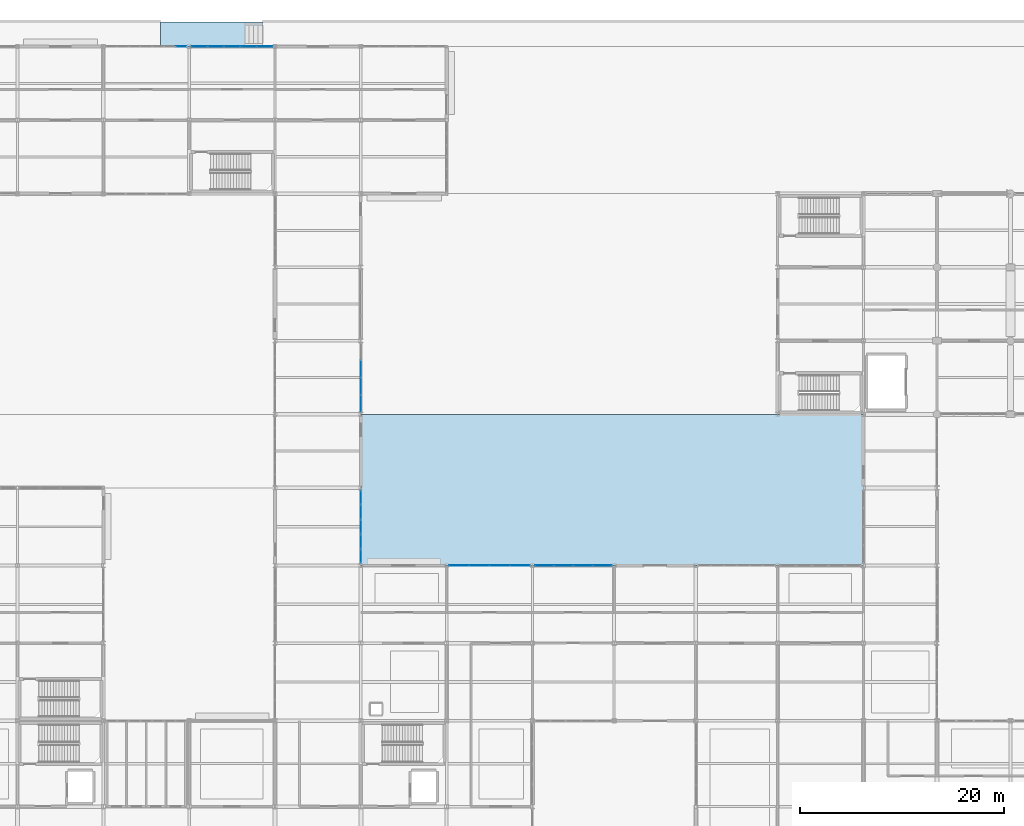
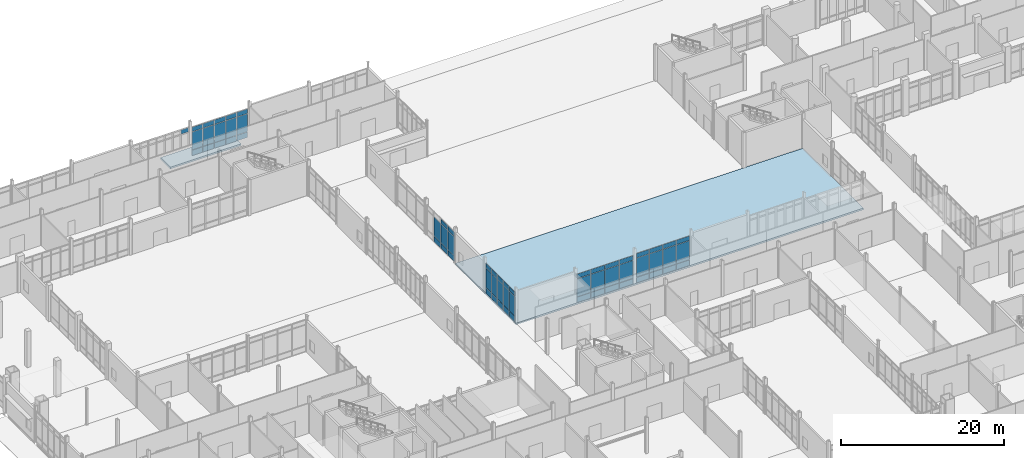
# One storey, part 150 of 229: 63 plates, 2 slabs, 6 elements without a shape of their own.
"""IFC4 building model written with IfcOpenShell, lengths in metres."""

from ifc_helpers import new_model, si_unit, direction, frame, origin, origin_2d, place, context, subcontext, project, spatial, polyline, rectangle, outline, extrude, material, layer, layer_set, type_object, element, aggregate, save


model = new_model("IFC4")

# Units and contexts
model_context = context("Model", 3, precision=1e-05, world=origin(), true_north=direction((0.0, 1.0)))
body_context = subcontext(model_context, "Body", "Model", "MODEL_VIEW")
ifc_project = project(units=[si_unit("LENGTHUNIT", "METRE"), si_unit("AREAUNIT", "SQUARE_METRE"), si_unit("VOLUMEUNIT", "CUBIC_METRE"), si_unit("PLANEANGLEUNIT", "RADIAN"), si_unit("MASSUNIT", "GRAM", prefix="KILO")], contexts=[model_context])

# Site, building, storey
site_placement = place(None, origin())
site = spatial("IfcSite", under=ifc_project, at=site_placement, CompositionType="ELEMENT")
building_placement = place(site_placement, origin())
building = spatial("IfcBuilding", under=site, at=building_placement, Name="Calvrana Isthmian Art Gallery", CompositionType="ELEMENT")
storey_placement = place(building_placement, origin())
storey = spatial("IfcBuildingStorey", under=building, at=storey_placement, Name="L00", CompositionType="ELEMENT", Elevation=0.0)

# Curtain wall, plates
ifc_material_1 = material(Name="Anodized bronze aluminium 6063-T6", Category="aluminium")
ifc_layer_1 = layer(ifc_material_1, 0.179931640625, Name="Anodized bronze aluminium 6063-T6")
ifc_layer_set_1 = layer_set([ifc_layer_1], Name="Anodized bronze aluminium 6063-T6")
curtain_wall_type_1 = type_object("IfcCurtainWallType", Name="CW-UNIT-080X44", PredefinedType="USERDEFINED", material=ifc_layer_set_1)
curtain_wall_1_placement = place(storey_placement, origin())
curtain_wall_1 = element("IfcCurtainWall", 1, at=curtain_wall_1_placement, inside=storey, type_object=curtain_wall_type_1, Name="Curtain wall CW-045", ObjectType="UNITISED CURTAIN WALL", PredefinedType="USERDEFINED")
ifc_material_2 = material(Name="Polychrome glazed terracotta", Category="masonry")
ifc_layer_2 = layer(ifc_material_2, 0.033935546875, Name="Polychrome glazed terracotta")
ifc_layer_set_2 = layer_set([ifc_layer_2], Name="Polychrome glazed terracotta")
plate_type_1 = type_object("IfcPlateType", Name="CWP-SPANDREL-34", PredefinedType="CURTAIN_PANEL", material=ifc_layer_set_2)
plate_1_placement = place(storey_placement, frame((47.806884765625, 112.800048828125, 0.06005859375), z_axis=(0.0, 0.0, 1.0), x_axis=(1.0, 0.0, 0.0)))
plate_1 = element("IfcPlate", 2, at=plate_1_placement, type_object=plate_type_1, Name="CW-045 panel 1.1", PredefinedType="CURTAIN_PANEL", context=body_context, shape_type="SweptSolid", body=[
    extrude(rectangle(XDim=1.50048828125, YDim=0.033935546875, at=origin_2d()), origin(), (0.0, 0.0, 1.0), 0.81005859375),
])
plate_2_placement = place(storey_placement, frame((47.806884765625, 112.800048828125, 0.929931640625), z_axis=(0.0, 0.0, 1.0), x_axis=(1.0, 0.0, 0.0)))
plate_2 = element("IfcPlate", 3, at=plate_2_placement, type_object=plate_type_1, Name="CW-045 panel 1.2", PredefinedType="CURTAIN_PANEL", context=body_context, shape_type="SweptSolid", body=[
    extrude(rectangle(XDim=1.50048828125, YDim=0.033935546875, at=origin_2d()), origin(), (0.0, 0.0, 1.0), 2.66796875),
])
plate_3_placement = place(storey_placement, frame((47.806884765625, 112.800048828125, 3.658203125), z_axis=(0.0, 0.0, 1.0), x_axis=(1.0, 0.0, 0.0)))
plate_3 = element("IfcPlate", 4, at=plate_3_placement, type_object=plate_type_1, Name="CW-045 panel 1.3", PredefinedType="CURTAIN_PANEL", context=body_context, shape_type="SweptSolid", body=[
    extrude(rectangle(XDim=1.50048828125, YDim=0.033935546875, at=origin_2d()), origin(), (0.0, 0.0, 1.0), 0.659912109375),
])
plate_4_placement = place(storey_placement, frame((49.39501953125, 112.800048828125, 0.06005859375), z_axis=(0.0, 0.0, 1.0), x_axis=(1.0, 0.0, 0.0)))
plate_4 = element("IfcPlate", 5, at=plate_4_placement, type_object=plate_type_1, Name="CW-045 panel 2.1", PredefinedType="CURTAIN_PANEL", context=body_context, shape_type="SweptSolid", body=[
    extrude(rectangle(XDim=1.53564453125, YDim=0.033935546875, at=origin_2d()), origin(), (0.0, 0.0, 1.0), 0.81005859375),
])
plate_5_placement = place(storey_placement, frame((49.39501953125, 112.800048828125, 0.929931640625), z_axis=(0.0, 0.0, 1.0), x_axis=(1.0, 0.0, 0.0)))
plate_5 = element("IfcPlate", 6, at=plate_5_placement, type_object=plate_type_1, Name="CW-045 panel 2.2", PredefinedType="CURTAIN_PANEL", context=body_context, shape_type="SweptSolid", body=[
    extrude(rectangle(XDim=1.53564453125, YDim=0.033935546875, at=origin_2d()), origin(), (0.0, 0.0, 1.0), 2.66796875),
])
plate_6_placement = place(storey_placement, frame((49.39501953125, 112.800048828125, 3.658203125), z_axis=(0.0, 0.0, 1.0), x_axis=(1.0, 0.0, 0.0)))
plate_6 = element("IfcPlate", 7, at=plate_6_placement, type_object=plate_type_1, Name="CW-045 panel 2.3", PredefinedType="CURTAIN_PANEL", context=body_context, shape_type="SweptSolid", body=[
    extrude(rectangle(XDim=1.53564453125, YDim=0.033935546875, at=origin_2d()), origin(), (0.0, 0.0, 1.0), 0.659912109375),
])
plate_7_placement = place(storey_placement, frame((51.00048828125, 112.800048828125, 0.06005859375), z_axis=(0.0, 0.0, 1.0), x_axis=(1.0, 0.0, 0.0)))
plate_7 = element("IfcPlate", 8, at=plate_7_placement, type_object=plate_type_1, Name="CW-045 panel 3.1", PredefinedType="CURTAIN_PANEL", context=body_context, shape_type="SweptSolid", body=[
    extrude(rectangle(XDim=1.53564453125, YDim=0.033935546875, at=origin_2d()), origin(), (0.0, 0.0, 1.0), 0.81005859375),
])
plate_8_placement = place(storey_placement, frame((51.00048828125, 112.800048828125, 0.929931640625), z_axis=(0.0, 0.0, 1.0), x_axis=(1.0, 0.0, 0.0)))
plate_8 = element("IfcPlate", 9, at=plate_8_placement, type_object=plate_type_1, Name="CW-045 panel 3.2", PredefinedType="CURTAIN_PANEL", context=body_context, shape_type="SweptSolid", body=[
    extrude(rectangle(XDim=1.53564453125, YDim=0.033935546875, at=origin_2d()), origin(), (0.0, 0.0, 1.0), 2.66796875),
])
plate_9_placement = place(storey_placement, frame((51.00048828125, 112.800048828125, 3.658203125), z_axis=(0.0, 0.0, 1.0), x_axis=(1.0, 0.0, 0.0)))
plate_9 = element("IfcPlate", 10, at=plate_9_placement, type_object=plate_type_1, Name="CW-045 panel 3.3", PredefinedType="CURTAIN_PANEL", context=body_context, shape_type="SweptSolid", body=[
    extrude(rectangle(XDim=1.53564453125, YDim=0.033935546875, at=origin_2d()), origin(), (0.0, 0.0, 1.0), 0.659912109375),
])
plate_10_placement = place(storey_placement, frame((52.606201171875, 112.800048828125, 0.06005859375), z_axis=(0.0, 0.0, 1.0), x_axis=(1.0, 0.0, 0.0)))
plate_10 = element("IfcPlate", 11, at=plate_10_placement, type_object=plate_type_1, Name="CW-045 panel 4.1", PredefinedType="CURTAIN_PANEL", context=body_context, shape_type="SweptSolid", body=[
    extrude(rectangle(XDim=1.53564453125, YDim=0.033935546875, at=origin_2d()), origin(), (0.0, 0.0, 1.0), 0.81005859375),
])
plate_11_placement = place(storey_placement, frame((52.606201171875, 112.800048828125, 0.929931640625), z_axis=(0.0, 0.0, 1.0), x_axis=(1.0, 0.0, 0.0)))
plate_11 = element("IfcPlate", 12, at=plate_11_placement, type_object=plate_type_1, Name="CW-045 panel 4.2", PredefinedType="CURTAIN_PANEL", context=body_context, shape_type="SweptSolid", body=[
    extrude(rectangle(XDim=1.53564453125, YDim=0.033935546875, at=origin_2d()), origin(), (0.0, 0.0, 1.0), 2.66796875),
])
plate_12_placement = place(storey_placement, frame((52.606201171875, 112.800048828125, 3.658203125), z_axis=(0.0, 0.0, 1.0), x_axis=(1.0, 0.0, 0.0)))
plate_12 = element("IfcPlate", 13, at=plate_12_placement, type_object=plate_type_1, Name="CW-045 panel 4.3", PredefinedType="CURTAIN_PANEL", context=body_context, shape_type="SweptSolid", body=[
    extrude(rectangle(XDim=1.53564453125, YDim=0.033935546875, at=origin_2d()), origin(), (0.0, 0.0, 1.0), 0.659912109375),
])
plate_13_placement = place(storey_placement, frame((54.194091796875, 112.800048828125, 0.06005859375), z_axis=(0.0, 0.0, 1.0), x_axis=(1.0, 0.0, 0.0)))
plate_13 = element("IfcPlate", 14, at=plate_13_placement, type_object=plate_type_1, Name="CW-045 panel 5.1", PredefinedType="CURTAIN_PANEL", context=body_context, shape_type="SweptSolid", body=[
    extrude(rectangle(XDim=1.50048828125, YDim=0.033935546875, at=origin_2d()), origin(), (0.0, 0.0, 1.0), 0.81005859375),
])
plate_14_placement = place(storey_placement, frame((54.194091796875, 112.800048828125, 0.929931640625), z_axis=(0.0, 0.0, 1.0), x_axis=(1.0, 0.0, 0.0)))
plate_14 = element("IfcPlate", 15, at=plate_14_placement, type_object=plate_type_1, Name="CW-045 panel 5.2", PredefinedType="CURTAIN_PANEL", context=body_context, shape_type="SweptSolid", body=[
    extrude(rectangle(XDim=1.50048828125, YDim=0.033935546875, at=origin_2d()), origin(), (0.0, 0.0, 1.0), 2.66796875),
])
plate_15_placement = place(storey_placement, frame((54.194091796875, 112.800048828125, 3.658203125), z_axis=(0.0, 0.0, 1.0), x_axis=(1.0, 0.0, 0.0)))
plate_15 = element("IfcPlate", 16, at=plate_15_placement, type_object=plate_type_1, Name="CW-045 panel 5.3", PredefinedType="CURTAIN_PANEL", context=body_context, shape_type="SweptSolid", body=[
    extrude(rectangle(XDim=1.50048828125, YDim=0.033935546875, at=origin_2d()), origin(), (0.0, 0.0, 1.0), 0.659912109375),
])
aggregate(curtain_wall_1, [plate_1, plate_2, plate_3, plate_4, plate_5, plate_6, plate_7, plate_8, plate_9, plate_10, plate_11, plate_12, plate_13, plate_14, plate_15])

ifc_layer_3 = layer(ifc_material_1, 0.179931640625, Name="Anodized bronze aluminium 6063-T6")
ifc_layer_set_3 = layer_set([ifc_layer_3], Name="Anodized bronze aluminium 6063-T6")
curtain_wall_type_2 = type_object("IfcCurtainWallType", Name="CW-UNIT-072X46", PredefinedType="USERDEFINED", material=ifc_layer_set_3)
curtain_wall_2_placement = place(storey_placement, origin())
curtain_wall_2 = element("IfcCurtainWall", 17, at=curtain_wall_2_placement, inside=storey, type_object=curtain_wall_type_2, Name="Curtain wall CW-065", ObjectType="UNITISED CURTAIN WALL", PredefinedType="USERDEFINED")
plate_16_placement = place(storey_placement, frame((63.60009765625, 68.672607421875, 0.06005859375), z_axis=(0.0, 0.0, 1.0), x_axis=(0.0, -1.0, 0.0)))
plate_16 = element("IfcPlate", 18, at=plate_16_placement, type_object=plate_type_1, Name="CW-065 panel 1.1", PredefinedType="CURTAIN_PANEL", context=body_context, shape_type="SweptSolid", body=[
    extrude(rectangle(XDim=1.326904296875, YDim=0.033935546875, at=origin_2d()), origin(), (0.0, 0.0, 1.0), 0.81005859375),
])
plate_17_placement = place(storey_placement, frame((63.60009765625, 68.672607421875, 0.929931640625), z_axis=(0.0, 0.0, 1.0), x_axis=(0.0, -1.0, 0.0)))
plate_17 = element("IfcPlate", 19, at=plate_17_placement, type_object=plate_type_1, Name="CW-065 panel 1.2", PredefinedType="CURTAIN_PANEL", context=body_context, shape_type="SweptSolid", body=[
    extrude(rectangle(XDim=1.326904296875, YDim=0.033935546875, at=origin_2d()), origin(), (0.0, 0.0, 1.0), 2.89697265625),
])
plate_18_placement = place(storey_placement, frame((63.60009765625, 68.672607421875, 3.88720703125), z_axis=(0.0, 0.0, 1.0), x_axis=(0.0, -1.0, 0.0)))
plate_18 = element("IfcPlate", 20, at=plate_18_placement, type_object=plate_type_1, Name="CW-065 panel 1.3", PredefinedType="CURTAIN_PANEL", context=body_context, shape_type="SweptSolid", body=[
    extrude(rectangle(XDim=1.326904296875, YDim=0.033935546875, at=origin_2d()), origin(), (0.0, 0.0, 1.0), 0.659912109375),
])
plate_19_placement = place(storey_placement, frame((63.60009765625, 67.24560546875, 0.06005859375), z_axis=(0.0, 0.0, 1.0), x_axis=(0.0, -1.0, 0.0)))
plate_19 = element("IfcPlate", 21, at=plate_19_placement, type_object=plate_type_1, Name="CW-065 panel 2.1", PredefinedType="CURTAIN_PANEL", context=body_context, shape_type="SweptSolid", body=[
    extrude(rectangle(XDim=1.366943359375, YDim=0.033935546875, at=origin_2d()), origin(), (0.0, 0.0, 1.0), 0.81005859375),
])
plate_20_placement = place(storey_placement, frame((63.60009765625, 67.24560546875, 0.929931640625), z_axis=(0.0, 0.0, 1.0), x_axis=(0.0, -1.0, 0.0)))
plate_20 = element("IfcPlate", 22, at=plate_20_placement, type_object=plate_type_1, Name="CW-065 panel 2.2", PredefinedType="CURTAIN_PANEL", context=body_context, shape_type="SweptSolid", body=[
    extrude(rectangle(XDim=1.366943359375, YDim=0.033935546875, at=origin_2d()), origin(), (0.0, 0.0, 1.0), 2.89697265625),
])
plate_21_placement = place(storey_placement, frame((63.60009765625, 67.24560546875, 3.88720703125), z_axis=(0.0, 0.0, 1.0), x_axis=(0.0, -1.0, 0.0)))
plate_21 = element("IfcPlate", 23, at=plate_21_placement, type_object=plate_type_1, Name="CW-065 panel 2.3", PredefinedType="CURTAIN_PANEL", context=body_context, shape_type="SweptSolid", body=[
    extrude(rectangle(XDim=1.366943359375, YDim=0.033935546875, at=origin_2d()), origin(), (0.0, 0.0, 1.0), 0.659912109375),
])
plate_22_placement = place(storey_placement, frame((63.60009765625, 65.798828125, 0.06005859375), z_axis=(0.0, 0.0, 1.0), x_axis=(0.0, -1.0, 0.0)))
plate_22 = element("IfcPlate", 24, at=plate_22_placement, type_object=plate_type_1, Name="CW-065 panel 3.1", PredefinedType="CURTAIN_PANEL", context=body_context, shape_type="SweptSolid", body=[
    extrude(rectangle(XDim=1.366943359375, YDim=0.033935546875, at=origin_2d()), origin(), (0.0, 0.0, 1.0), 0.81005859375),
])
plate_23_placement = place(storey_placement, frame((63.60009765625, 65.798828125, 0.929931640625), z_axis=(0.0, 0.0, 1.0), x_axis=(0.0, -1.0, 0.0)))
plate_23 = element("IfcPlate", 25, at=plate_23_placement, type_object=plate_type_1, Name="CW-065 panel 3.2", PredefinedType="CURTAIN_PANEL", context=body_context, shape_type="SweptSolid", body=[
    extrude(rectangle(XDim=1.366943359375, YDim=0.033935546875, at=origin_2d()), origin(), (0.0, 0.0, 1.0), 2.89697265625),
])
plate_24_placement = place(storey_placement, frame((63.60009765625, 65.798828125, 3.88720703125), z_axis=(0.0, 0.0, 1.0), x_axis=(0.0, -1.0, 0.0)))
plate_24 = element("IfcPlate", 26, at=plate_24_placement, type_object=plate_type_1, Name="CW-065 panel 3.3", PredefinedType="CURTAIN_PANEL", context=body_context, shape_type="SweptSolid", body=[
    extrude(rectangle(XDim=1.366943359375, YDim=0.033935546875, at=origin_2d()), origin(), (0.0, 0.0, 1.0), 0.659912109375),
])
plate_25_placement = place(storey_placement, frame((63.60009765625, 64.351806640625, 0.06005859375), z_axis=(0.0, 0.0, 1.0), x_axis=(0.0, -1.0, 0.0)))
plate_25 = element("IfcPlate", 27, at=plate_25_placement, type_object=plate_type_1, Name="CW-065 panel 4.1", PredefinedType="CURTAIN_PANEL", context=body_context, shape_type="SweptSolid", body=[
    extrude(rectangle(XDim=1.366943359375, YDim=0.033935546875, at=origin_2d()), origin(), (0.0, 0.0, 1.0), 0.81005859375),
])
plate_26_placement = place(storey_placement, frame((63.60009765625, 64.351806640625, 0.929931640625), z_axis=(0.0, 0.0, 1.0), x_axis=(0.0, -1.0, 0.0)))
plate_26 = element("IfcPlate", 28, at=plate_26_placement, type_object=plate_type_1, Name="CW-065 panel 4.2", PredefinedType="CURTAIN_PANEL", context=body_context, shape_type="SweptSolid", body=[
    extrude(rectangle(XDim=1.366943359375, YDim=0.033935546875, at=origin_2d()), origin(), (0.0, 0.0, 1.0), 2.89697265625),
])
plate_27_placement = place(storey_placement, frame((63.60009765625, 64.351806640625, 3.88720703125), z_axis=(0.0, 0.0, 1.0), x_axis=(0.0, -1.0, 0.0)))
plate_27 = element("IfcPlate", 29, at=plate_27_placement, type_object=plate_type_1, Name="CW-065 panel 4.3", PredefinedType="CURTAIN_PANEL", context=body_context, shape_type="SweptSolid", body=[
    extrude(rectangle(XDim=1.366943359375, YDim=0.033935546875, at=origin_2d()), origin(), (0.0, 0.0, 1.0), 0.659912109375),
])
plate_28_placement = place(storey_placement, frame((63.60009765625, 62.925048828125, 0.06005859375), z_axis=(0.0, 0.0, 1.0), x_axis=(0.0, -1.0, 0.0)))
plate_28 = element("IfcPlate", 30, at=plate_28_placement, type_object=plate_type_1, Name="CW-065 panel 5.1", PredefinedType="CURTAIN_PANEL", context=body_context, shape_type="SweptSolid", body=[
    extrude(rectangle(XDim=1.326904296875, YDim=0.033935546875, at=origin_2d()), origin(), (0.0, 0.0, 1.0), 0.81005859375),
])
plate_29_placement = place(storey_placement, frame((63.60009765625, 62.925048828125, 0.929931640625), z_axis=(0.0, 0.0, 1.0), x_axis=(0.0, -1.0, 0.0)))
plate_29 = element("IfcPlate", 31, at=plate_29_placement, type_object=plate_type_1, Name="CW-065 panel 5.2", PredefinedType="CURTAIN_PANEL", context=body_context, shape_type="SweptSolid", body=[
    extrude(rectangle(XDim=1.326904296875, YDim=0.033935546875, at=origin_2d()), origin(), (0.0, 0.0, 1.0), 2.89697265625),
])
plate_30_placement = place(storey_placement, frame((63.60009765625, 62.925048828125, 3.88720703125), z_axis=(0.0, 0.0, 1.0), x_axis=(0.0, -1.0, 0.0)))
plate_30 = element("IfcPlate", 32, at=plate_30_placement, type_object=plate_type_1, Name="CW-065 panel 5.3", PredefinedType="CURTAIN_PANEL", context=body_context, shape_type="SweptSolid", body=[
    extrude(rectangle(XDim=1.326904296875, YDim=0.033935546875, at=origin_2d()), origin(), (0.0, 0.0, 1.0), 0.659912109375),
])
aggregate(curtain_wall_2, [plate_16, plate_17, plate_18, plate_19, plate_20, plate_21, plate_22, plate_23, plate_24, plate_25, plate_26, plate_27, plate_28, plate_29, plate_30])

curtain_wall_3_placement = place(storey_placement, origin())
curtain_wall_3 = element("IfcCurtainWall", 33, at=curtain_wall_3_placement, inside=storey, type_object=curtain_wall_type_1, Name="Curtain wall CW-026", ObjectType="UNITISED CURTAIN WALL", PredefinedType="USERDEFINED")
ifc_material_3 = material(Name="Low-E laminated solar glass", Category="glass")
ifc_layer_4 = layer(ifc_material_3, 0.028076171875, Name="Low-E laminated solar glass")
ifc_layer_set_4 = layer_set([ifc_layer_4], Name="Low-E laminated solar glass")
plate_type_2 = type_object("IfcPlateType", Name="CWP-VISION-28", PredefinedType="CURTAIN_PANEL", material=ifc_layer_set_4)
plate_31_placement = place(storey_placement, frame((73.203857421875, 62.0, 0.06005859375), z_axis=(0.0, 0.0, 1.0), x_axis=(1.0, 0.0, 0.0)))
plate_31 = element("IfcPlate", 34, at=plate_31_placement, type_object=plate_type_2, Name="CW-026 panel 1.1", PredefinedType="CURTAIN_PANEL", context=body_context, shape_type="SweptSolid", body=[
    extrude(rectangle(XDim=1.909912109375, YDim=0.028076171875, at=origin_2d()), origin(), (0.0, 0.0, 1.0), 0.81005859375),
])
plate_32_placement = place(storey_placement, frame((73.203857421875, 62.0, 0.929931640625), z_axis=(0.0, 0.0, 1.0), x_axis=(1.0, 0.0, 0.0)))
plate_32 = element("IfcPlate", 35, at=plate_32_placement, type_object=plate_type_2, Name="CW-026 panel 1.2", PredefinedType="CURTAIN_PANEL", context=body_context, shape_type="SweptSolid", body=[
    extrude(rectangle(XDim=1.909912109375, YDim=0.028076171875, at=origin_2d()), origin(), (0.0, 0.0, 1.0), 2.66796875),
])
plate_33_placement = place(storey_placement, frame((73.203857421875, 62.0, 3.658203125), z_axis=(0.0, 0.0, 1.0), x_axis=(1.0, 0.0, 0.0)))
plate_33 = element("IfcPlate", 36, at=plate_33_placement, type_object=plate_type_2, Name="CW-026 panel 1.3", PredefinedType="CURTAIN_PANEL", context=body_context, shape_type="SweptSolid", body=[
    extrude(rectangle(XDim=1.909912109375, YDim=0.028076171875, at=origin_2d()), origin(), (0.0, 0.0, 1.0), 0.659912109375),
])
plate_34_placement = place(storey_placement, frame((75.195068359375, 62.0, 0.06005859375), z_axis=(0.0, 0.0, 1.0), x_axis=(1.0, 0.0, 0.0)))
plate_34 = element("IfcPlate", 37, at=plate_34_placement, type_object=plate_type_2, Name="CW-026 panel 2.1", PredefinedType="CURTAIN_PANEL", context=body_context, shape_type="SweptSolid", body=[
    extrude(rectangle(XDim=1.9423828125, YDim=0.028076171875, at=origin_2d()), origin(), (0.0, 0.0, 1.0), 0.81005859375),
])
plate_35_placement = place(storey_placement, frame((75.195068359375, 62.0, 0.929931640625), z_axis=(0.0, 0.0, 1.0), x_axis=(1.0, 0.0, 0.0)))
plate_35 = element("IfcPlate", 38, at=plate_35_placement, type_object=plate_type_2, Name="CW-026 panel 2.2", PredefinedType="CURTAIN_PANEL", context=body_context, shape_type="SweptSolid", body=[
    extrude(rectangle(XDim=1.9423828125, YDim=0.028076171875, at=origin_2d()), origin(), (0.0, 0.0, 1.0), 2.66796875),
])
plate_36_placement = place(storey_placement, frame((75.195068359375, 62.0, 3.658203125), z_axis=(0.0, 0.0, 1.0), x_axis=(1.0, 0.0, 0.0)))
plate_36 = element("IfcPlate", 39, at=plate_36_placement, type_object=plate_type_2, Name="CW-026 panel 2.3", PredefinedType="CURTAIN_PANEL", context=body_context, shape_type="SweptSolid", body=[
    extrude(rectangle(XDim=1.9423828125, YDim=0.028076171875, at=origin_2d()), origin(), (0.0, 0.0, 1.0), 0.659912109375),
])
plate_37_placement = place(storey_placement, frame((77.202392578125, 62.0, 0.06005859375), z_axis=(0.0, 0.0, 1.0), x_axis=(1.0, 0.0, 0.0)))
plate_37 = element("IfcPlate", 40, at=plate_37_placement, type_object=plate_type_2, Name="CW-026 panel 3.1", PredefinedType="CURTAIN_PANEL", context=body_context, shape_type="SweptSolid", body=[
    extrude(rectangle(XDim=1.9423828125, YDim=0.028076171875, at=origin_2d()), origin(), (0.0, 0.0, 1.0), 0.81005859375),
])
plate_38_placement = place(storey_placement, frame((77.202392578125, 62.0, 0.929931640625), z_axis=(0.0, 0.0, 1.0), x_axis=(1.0, 0.0, 0.0)))
plate_38 = element("IfcPlate", 41, at=plate_38_placement, type_object=plate_type_2, Name="CW-026 panel 3.2", PredefinedType="CURTAIN_PANEL", context=body_context, shape_type="SweptSolid", body=[
    extrude(rectangle(XDim=1.9423828125, YDim=0.028076171875, at=origin_2d()), origin(), (0.0, 0.0, 1.0), 2.66796875),
])
plate_39_placement = place(storey_placement, frame((77.202392578125, 62.0, 3.658203125), z_axis=(0.0, 0.0, 1.0), x_axis=(1.0, 0.0, 0.0)))
plate_39 = element("IfcPlate", 42, at=plate_39_placement, type_object=plate_type_2, Name="CW-026 panel 3.3", PredefinedType="CURTAIN_PANEL", context=body_context, shape_type="SweptSolid", body=[
    extrude(rectangle(XDim=1.9423828125, YDim=0.028076171875, at=origin_2d()), origin(), (0.0, 0.0, 1.0), 0.659912109375),
])
plate_40_placement = place(storey_placement, frame((79.193603515625, 62.0, 0.06005859375), z_axis=(0.0, 0.0, 1.0), x_axis=(1.0, 0.0, 0.0)))
plate_40 = element("IfcPlate", 43, at=plate_40_placement, type_object=plate_type_2, Name="CW-026 panel 4.1", PredefinedType="CURTAIN_PANEL", context=body_context, shape_type="SweptSolid", body=[
    extrude(rectangle(XDim=1.909912109375, YDim=0.028076171875, at=origin_2d()), origin(), (0.0, 0.0, 1.0), 0.81005859375),
])
plate_41_placement = place(storey_placement, frame((79.193603515625, 62.0, 0.929931640625), z_axis=(0.0, 0.0, 1.0), x_axis=(1.0, 0.0, 0.0)))
plate_41 = element("IfcPlate", 44, at=plate_41_placement, type_object=plate_type_2, Name="CW-026 panel 4.2", PredefinedType="CURTAIN_PANEL", context=body_context, shape_type="SweptSolid", body=[
    extrude(rectangle(XDim=1.909912109375, YDim=0.028076171875, at=origin_2d()), origin(), (0.0, 0.0, 1.0), 2.66796875),
])
plate_42_placement = place(storey_placement, frame((79.193603515625, 62.0, 3.658203125), z_axis=(0.0, 0.0, 1.0), x_axis=(1.0, 0.0, 0.0)))
plate_42 = element("IfcPlate", 45, at=plate_42_placement, type_object=plate_type_2, Name="CW-026 panel 4.3", PredefinedType="CURTAIN_PANEL", context=body_context, shape_type="SweptSolid", body=[
    extrude(rectangle(XDim=1.909912109375, YDim=0.028076171875, at=origin_2d()), origin(), (0.0, 0.0, 1.0), 0.659912109375),
])
aggregate(curtain_wall_3, [plate_31, plate_32, plate_33, plate_34, plate_35, plate_36, plate_37, plate_38, plate_39, plate_40, plate_41, plate_42])

ifc_layer_5 = layer(ifc_material_1, 0.179931640625, Name="Anodized bronze aluminium 6063-T6")
ifc_layer_set_5 = layer_set([ifc_layer_5], Name="Anodized bronze aluminium 6063-T6")
curtain_wall_type_3 = type_object("IfcCurtainWallType", Name="CW-STICK-076X45", PredefinedType="NOTDEFINED", material=ifc_layer_set_5)
curtain_wall_4_placement = place(storey_placement, origin())
curtain_wall_4 = element("IfcCurtainWall", 46, at=curtain_wall_4_placement, inside=storey, type_object=curtain_wall_type_3, Name="Curtain wall CW-027", PredefinedType="NOTDEFINED")
plate_43_placement = place(storey_placement, frame((81.557373046875, 62.0, 0.06494140625), z_axis=(0.0, 0.0, 1.0), x_axis=(1.0, 0.0, 0.0)))
plate_43 = element("IfcPlate", 47, at=plate_43_placement, type_object=plate_type_2, Name="CW-027 panel 1.1", PredefinedType="CURTAIN_PANEL", context=body_context, shape_type="SweptSolid", body=[
    extrude(rectangle(XDim=1.8017578125, YDim=0.028076171875, at=origin_2d()), origin(), (0.0, 0.0, 1.0), 0.802490234375),
])
plate_44_placement = place(storey_placement, frame((81.557373046875, 62.0, 0.9326171875), z_axis=(0.0, 0.0, 1.0), x_axis=(1.0, 0.0, 0.0)))
plate_44 = element("IfcPlate", 48, at=plate_44_placement, type_object=plate_type_2, Name="CW-027 panel 1.2", PredefinedType="CURTAIN_PANEL", context=body_context, shape_type="SweptSolid", body=[
    extrude(rectangle(XDim=1.8017578125, YDim=0.028076171875, at=origin_2d()), origin(), (0.0, 0.0, 1.0), 2.818115234375),
])
plate_45_placement = place(storey_placement, frame((81.557373046875, 62.0, 3.8154296875), z_axis=(0.0, 0.0, 1.0), x_axis=(1.0, 0.0, 0.0)))
plate_45 = element("IfcPlate", 49, at=plate_45_placement, type_object=plate_type_2, Name="CW-027 panel 1.3", PredefinedType="CURTAIN_PANEL", context=body_context, shape_type="SweptSolid", body=[
    extrude(rectangle(XDim=1.8017578125, YDim=0.028076171875, at=origin_2d()), origin(), (0.0, 0.0, 1.0), 0.652587890625),
])
plate_46_placement = place(storey_placement, frame((83.446533203125, 62.0, 0.06494140625), z_axis=(0.0, 0.0, 1.0), x_axis=(1.0, 0.0, 0.0)))
plate_46 = element("IfcPlate", 50, at=plate_46_placement, type_object=plate_type_2, Name="CW-027 panel 2.1", PredefinedType="CURTAIN_PANEL", context=body_context, shape_type="SweptSolid", body=[
    extrude(rectangle(XDim=1.836669921875, YDim=0.028076171875, at=origin_2d()), origin(), (0.0, 0.0, 1.0), 0.802490234375),
])
plate_47_placement = place(storey_placement, frame((83.446533203125, 62.0, 0.9326171875), z_axis=(0.0, 0.0, 1.0), x_axis=(1.0, 0.0, 0.0)))
plate_47 = element("IfcPlate", 51, at=plate_47_placement, type_object=plate_type_2, Name="CW-027 panel 2.2", PredefinedType="CURTAIN_PANEL", context=body_context, shape_type="SweptSolid", body=[
    extrude(rectangle(XDim=1.836669921875, YDim=0.028076171875, at=origin_2d()), origin(), (0.0, 0.0, 1.0), 2.818115234375),
])
plate_48_placement = place(storey_placement, frame((83.446533203125, 62.0, 3.8154296875), z_axis=(0.0, 0.0, 1.0), x_axis=(1.0, 0.0, 0.0)))
plate_48 = element("IfcPlate", 52, at=plate_48_placement, type_object=plate_type_2, Name="CW-027 panel 2.3", PredefinedType="CURTAIN_PANEL", context=body_context, shape_type="SweptSolid", body=[
    extrude(rectangle(XDim=1.836669921875, YDim=0.028076171875, at=origin_2d()), origin(), (0.0, 0.0, 1.0), 0.652587890625),
])
plate_49_placement = place(storey_placement, frame((85.353271484375, 62.0, 0.06494140625), z_axis=(0.0, 0.0, 1.0), x_axis=(1.0, 0.0, 0.0)))
plate_49 = element("IfcPlate", 53, at=plate_49_placement, type_object=plate_type_2, Name="CW-027 panel 3.1", PredefinedType="CURTAIN_PANEL", context=body_context, shape_type="SweptSolid", body=[
    extrude(rectangle(XDim=1.836669921875, YDim=0.028076171875, at=origin_2d()), origin(), (0.0, 0.0, 1.0), 0.802490234375),
])
plate_50_placement = place(storey_placement, frame((85.353271484375, 62.0, 0.9326171875), z_axis=(0.0, 0.0, 1.0), x_axis=(1.0, 0.0, 0.0)))
plate_50 = element("IfcPlate", 54, at=plate_50_placement, type_object=plate_type_2, Name="CW-027 panel 3.2", PredefinedType="CURTAIN_PANEL", context=body_context, shape_type="SweptSolid", body=[
    extrude(rectangle(XDim=1.836669921875, YDim=0.028076171875, at=origin_2d()), origin(), (0.0, 0.0, 1.0), 2.818115234375),
])
plate_51_placement = place(storey_placement, frame((85.353271484375, 62.0, 3.8154296875), z_axis=(0.0, 0.0, 1.0), x_axis=(1.0, 0.0, 0.0)))
plate_51 = element("IfcPlate", 55, at=plate_51_placement, type_object=plate_type_2, Name="CW-027 panel 3.3", PredefinedType="CURTAIN_PANEL", context=body_context, shape_type="SweptSolid", body=[
    extrude(rectangle(XDim=1.836669921875, YDim=0.028076171875, at=origin_2d()), origin(), (0.0, 0.0, 1.0), 0.652587890625),
])
plate_52_placement = place(storey_placement, frame((87.24267578125, 62.0, 0.06494140625), z_axis=(0.0, 0.0, 1.0), x_axis=(1.0, 0.0, 0.0)))
plate_52 = element("IfcPlate", 56, at=plate_52_placement, type_object=plate_type_2, Name="CW-027 panel 4.1", PredefinedType="CURTAIN_PANEL", context=body_context, shape_type="SweptSolid", body=[
    extrude(rectangle(XDim=1.8017578125, YDim=0.028076171875, at=origin_2d()), origin(), (0.0, 0.0, 1.0), 0.802490234375),
])
plate_53_placement = place(storey_placement, frame((87.24267578125, 62.0, 0.9326171875), z_axis=(0.0, 0.0, 1.0), x_axis=(1.0, 0.0, 0.0)))
plate_53 = element("IfcPlate", 57, at=plate_53_placement, type_object=plate_type_2, Name="CW-027 panel 4.2", PredefinedType="CURTAIN_PANEL", context=body_context, shape_type="SweptSolid", body=[
    extrude(rectangle(XDim=1.8017578125, YDim=0.028076171875, at=origin_2d()), origin(), (0.0, 0.0, 1.0), 2.818115234375),
])
plate_54_placement = place(storey_placement, frame((87.24267578125, 62.0, 3.8154296875), z_axis=(0.0, 0.0, 1.0), x_axis=(1.0, 0.0, 0.0)))
plate_54 = element("IfcPlate", 58, at=plate_54_placement, type_object=plate_type_2, Name="CW-027 panel 4.3", PredefinedType="CURTAIN_PANEL", context=body_context, shape_type="SweptSolid", body=[
    extrude(rectangle(XDim=1.8017578125, YDim=0.028076171875, at=origin_2d()), origin(), (0.0, 0.0, 1.0), 0.652587890625),
])
aggregate(curtain_wall_4, [plate_43, plate_44, plate_45, plate_46, plate_47, plate_48, plate_49, plate_50, plate_51, plate_52, plate_53, plate_54])

# Curtain wall, plate
ifc_layer_6 = layer(ifc_material_1, 0.179931640625, Name="Anodized bronze aluminium 6063-T6")
ifc_layer_set_6 = layer_set([ifc_layer_6], Name="Anodized bronze aluminium 6063-T6")
curtain_wall_type_4 = type_object("IfcCurtainWallType", Name="CW-STICK-080X45", PredefinedType="NOTDEFINED", material=ifc_layer_set_6)
curtain_wall_5_placement = place(storey_placement, origin())
curtain_wall_5 = element("IfcCurtainWall", 59, at=curtain_wall_5_placement, inside=storey, type_object=curtain_wall_type_4, Name="Curtain wall CW-044", PredefinedType="NOTDEFINED")
plate_55_placement = place(storey_placement, frame((46.02392578125, 112.800048828125, 3.8154296875), z_axis=(0.0, 0.0, 1.0), x_axis=(1.0, 0.0, 0.0)))
plate_55 = element("IfcPlate", 60, at=plate_55_placement, type_object=plate_type_2, Name="CW-044 panel 7.3", PredefinedType="CURTAIN_PANEL", context=body_context, shape_type="SweptSolid", body=[
    extrude(rectangle(XDim=1.04931640625, YDim=0.028076171875, at=origin_2d()), origin(), (0.0, 0.0, 1.0), 0.637451171875),
])
aggregate(curtain_wall_5, [plate_55])

# Curtain wall, plates
ifc_layer_7 = layer(ifc_material_1, 0.179931640625, Name="Anodized bronze aluminium 6063-T6")
ifc_layer_set_7 = layer_set([ifc_layer_7], Name="Anodized bronze aluminium 6063-T6")
curtain_wall_type_5 = type_object("IfcCurtainWallType", Name="CW-STICK-068X45", PredefinedType="NOTDEFINED", material=ifc_layer_set_7)
curtain_wall_6_placement = place(storey_placement, origin())
curtain_wall_6 = element("IfcCurtainWall", 61, at=curtain_wall_6_placement, inside=storey, type_object=curtain_wall_type_5, Name="Curtain wall CW-066", PredefinedType="NOTDEFINED")
plate_56_placement = place(storey_placement, frame((63.60009765625, 81.2587890625, 0.06005859375), z_axis=(0.0, 0.0, 1.0), x_axis=(0.0, -1.0, 0.0)))
plate_56 = element("IfcPlate", 62, at=plate_56_placement, type_object=plate_type_2, Name="CW-066 panel 2.1", PredefinedType="CURTAIN_PANEL", context=body_context, shape_type="SweptSolid", body=[
    extrude(rectangle(XDim=1.64892578125, YDim=0.028076171875, at=origin_2d()), origin(), (0.0, 0.0, 1.0), 0.81005859375),
])
plate_57_placement = place(storey_placement, frame((63.60009765625, 81.2587890625, 0.93017578125), z_axis=(0.0, 0.0, 1.0), x_axis=(0.0, -1.0, 0.0)))
plate_57 = element("IfcPlate", 63, at=plate_57_placement, type_object=plate_type_2, Name="CW-066 panel 2.2", PredefinedType="CURTAIN_PANEL", context=body_context, shape_type="SweptSolid", body=[
    extrude(rectangle(XDim=1.64892578125, YDim=0.028076171875, at=origin_2d()), origin(), (0.0, 0.0, 1.0), 2.818115234375),
])
plate_58_placement = place(storey_placement, frame((63.60009765625, 79.5498046875, 0.06005859375), z_axis=(0.0, 0.0, 1.0), x_axis=(0.0, -1.0, 0.0)))
plate_58 = element("IfcPlate", 64, at=plate_58_placement, type_object=plate_type_2, Name="CW-066 panel 3.1", PredefinedType="CURTAIN_PANEL", context=body_context, shape_type="SweptSolid", body=[
    extrude(rectangle(XDim=1.64892578125, YDim=0.028076171875, at=origin_2d()), origin(), (0.0, 0.0, 1.0), 0.81005859375),
])
plate_59_placement = place(storey_placement, frame((63.60009765625, 79.5498046875, 0.93017578125), z_axis=(0.0, 0.0, 1.0), x_axis=(0.0, -1.0, 0.0)))
plate_59 = element("IfcPlate", 65, at=plate_59_placement, type_object=plate_type_2, Name="CW-066 panel 3.2", PredefinedType="CURTAIN_PANEL", context=body_context, shape_type="SweptSolid", body=[
    extrude(rectangle(XDim=1.64892578125, YDim=0.028076171875, at=origin_2d()), origin(), (0.0, 0.0, 1.0), 2.818115234375),
])
plate_60_placement = place(storey_placement, frame((63.60009765625, 79.5498046875, 3.80810546875), z_axis=(0.0, 0.0, 1.0), x_axis=(0.0, -1.0, 0.0)))
plate_60 = element("IfcPlate", 66, at=plate_60_placement, type_object=plate_type_2, Name="CW-066 panel 3.3", PredefinedType="CURTAIN_PANEL", context=body_context, shape_type="SweptSolid", body=[
    extrude(rectangle(XDim=1.64892578125, YDim=0.028076171875, at=origin_2d()), origin(), (0.0, 0.0, 1.0), 0.659912109375),
])
plate_61_placement = place(storey_placement, frame((63.60009765625, 77.85595703125, 0.06005859375), z_axis=(0.0, 0.0, 1.0), x_axis=(0.0, -1.0, 0.0)))
plate_61 = element("IfcPlate", 67, at=plate_61_placement, type_object=plate_type_2, Name="CW-066 panel 4.1", PredefinedType="CURTAIN_PANEL", context=body_context, shape_type="SweptSolid", body=[
    extrude(rectangle(XDim=1.618896484375, YDim=0.028076171875, at=origin_2d()), origin(), (0.0, 0.0, 1.0), 0.81005859375),
])
plate_62_placement = place(storey_placement, frame((63.60009765625, 77.85595703125, 0.93017578125), z_axis=(0.0, 0.0, 1.0), x_axis=(0.0, -1.0, 0.0)))
plate_62 = element("IfcPlate", 68, at=plate_62_placement, type_object=plate_type_2, Name="CW-066 panel 4.2", PredefinedType="CURTAIN_PANEL", context=body_context, shape_type="SweptSolid", body=[
    extrude(rectangle(XDim=1.618896484375, YDim=0.028076171875, at=origin_2d()), origin(), (0.0, 0.0, 1.0), 2.818115234375),
])
plate_63_placement = place(storey_placement, frame((63.60009765625, 77.85595703125, 3.80810546875), z_axis=(0.0, 0.0, 1.0), x_axis=(0.0, -1.0, 0.0)))
plate_63 = element("IfcPlate", 69, at=plate_63_placement, type_object=plate_type_2, Name="CW-066 panel 4.3", PredefinedType="CURTAIN_PANEL", context=body_context, shape_type="SweptSolid", body=[
    extrude(rectangle(XDim=1.618896484375, YDim=0.028076171875, at=origin_2d()), origin(), (0.0, 0.0, 1.0), 0.659912109375),
])
aggregate(curtain_wall_6, [plate_56, plate_57, plate_58, plate_59, plate_60, plate_61, plate_62, plate_63])

# Slabs
ifc_material_4 = material(Name="Concrete C40/50", Category="concrete")
ifc_layer_8 = layer(ifc_material_4, 0.199951171875, Name="Concrete C40/50")
ifc_layer_set_8 = layer_set([ifc_layer_8], Name="Concrete C40/50")
slab_type_1 = type_object("IfcSlabType", Name="SLB-LAND-200", PredefinedType="LANDING", material=ifc_layer_set_8)
slab_1_placement = place(storey_placement, frame((0.0, 0.0, -0.85009765625)))
element("IfcSlab", 70, at=slab_1_placement, inside=storey, type_object=slab_type_1, Name="Courtyard and entry plaza deck SLB_APR_NORTH_BENCH", PredefinedType="LANDING", context=body_context, shape_type="SweptSolid", body=[
    extrude(outline(polyline([(54.0, 112.800048828125), (54.0, 115.199951171875), (44.0, 115.199951171875), (44.0, 112.800048828125), (54.0, 112.800048828125)])), origin(), (0.0, 0.0, 1.0), 0.25),
])
ifc_layer_9 = layer(ifc_material_4, 0.199951171875, Name="Concrete C40/50")
ifc_layer_set_9 = layer_set([ifc_layer_9], Name="Concrete C40/50")
slab_type_2 = type_object("IfcSlabType", Name="SLB-TER-200", PredefinedType="FLOOR", material=ifc_layer_set_9)
slab_2_placement = place(storey_placement, frame((0.0, 0.0, -0.25)))
element("IfcSlab", 71, at=slab_2_placement, inside=storey, type_object=slab_type_2, Name="Courtyard and entry plaza deck SLB_CYD_NE_S", PredefinedType="FLOOR", context=body_context, shape_type="SweptSolid", body=[
    extrude(outline(polyline([(112.800048828125, 62.0), (112.800048828125, 76.800048828125), (63.60009765625, 76.800048828125), (63.60009765625, 62.0), (112.800048828125, 62.0)])), origin(), (0.0, 0.0, 1.0), 0.25),
])

save(model, "model.ifc")
